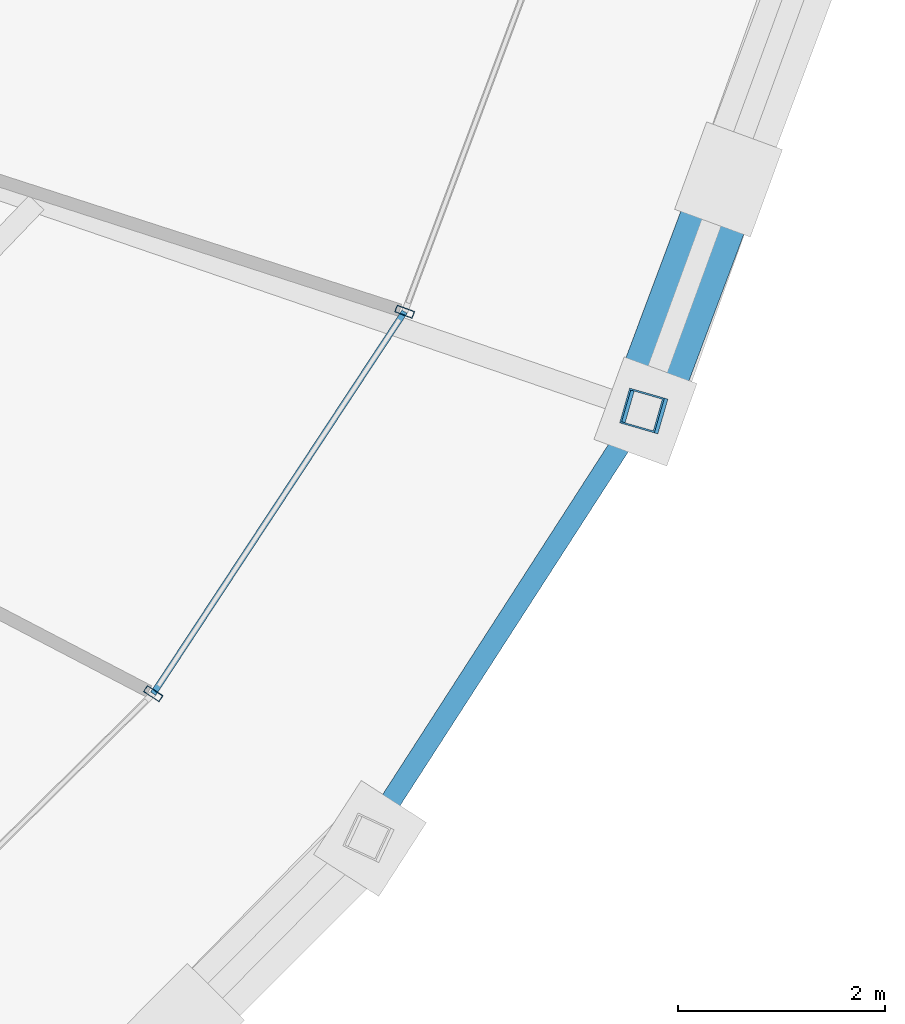
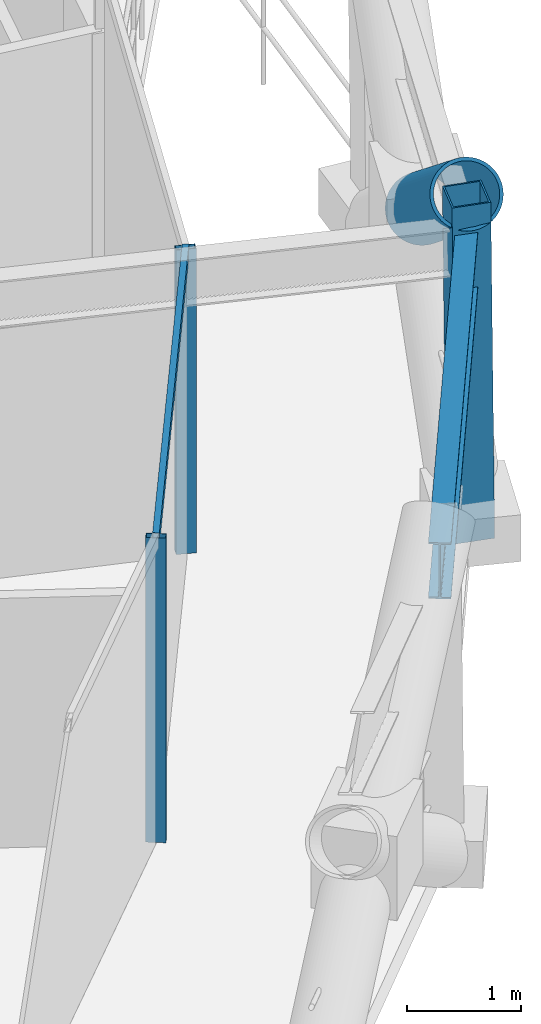
# One storey, part 10 of 23: 5 members, 1 beam, 1 element without a shape of its own.
"""IFC4 building model written with IfcOpenShell, lengths in metres."""

import ifcopenshell
import ifcopenshell.guid

model = None  # the IFC model being written
_history = None  # IfcOwnerHistory: only IFC2X3 demands one
_inside = {}  # id of a spatial element -> (the spatial element, [elements in it])
_under = {}  # id of a project, library or spatial element -> (it, [spatial elements below it])
_declared = {}  # id of a project -> (the project, [libraries it declares])
_typed = {}  # id of a type object -> (the type object, [elements of that type])
_made_of = {}  # id of a material, layer set ... -> (it, [elements and type objects made of it])


def new_model(schema):
    """Start an empty IFC model of exactly this schema.

    Asked for "IFC4X3", IfcOpenShell would pick the latest addendum, in which some entities
    have other attributes; the version numbers below select the first issue.
    IFC2X3 requires an IfcOwnerHistory on every rooted entity: one is made here for all.
    """
    global model, _history
    if schema == "IFC4X3":
        model = ifcopenshell.file(schema_version=(4, 3, 0, 0))
    else:
        model = ifcopenshell.file(schema=schema)
    _inside.clear()
    _under.clear()
    _declared.clear()
    _typed.clear()
    _made_of.clear()
    _history = None
    if model.schema == "IFC2X3":
        org = make("IfcOrganization", Name="unknown")
        user = make(
            "IfcPersonAndOrganization",
            ThePerson=make("IfcPerson", FamilyName="unknown"),
            TheOrganization=org,
        )
        app = make(
            "IfcApplication",
            ApplicationDeveloper=org,
            Version="unknown",
            ApplicationFullName="unknown",
            ApplicationIdentifier="unknown",
        )
        _history = make(
            "IfcOwnerHistory",
            OwningUser=user,
            OwningApplication=app,
            ChangeAction="ADDED",
            CreationDate=0,
        )
    return model


def make(cls, **values):
    """One entity of the class cls with the attributes given. An attribute that is None is left unset."""
    return model.create_entity(
        cls, **{name: value for name, value in values.items() if value is not None}
    )


def rooted(cls, **values):
    """An entity with a GlobalId (a new one), such as an element, a storey or a relation."""
    return make(cls, GlobalId=ifcopenshell.guid.new(), OwnerHistory=_history, **values)


def si_unit(unit_type, name, prefix=None):
    """IfcSIUnit, for example si_unit("LENGTHUNIT", "METRE", prefix="MILLI")."""
    return make("IfcSIUnit", UnitType=unit_type, Prefix=prefix, Name=name)


def assignment(units):
    """IfcUnitAssignment: the units of a project."""
    return None if units is None else make("IfcUnitAssignment", Units=units)


def point(xyz):
    """IfcCartesianPoint."""
    return None if xyz is None else make("IfcCartesianPoint", Coordinates=xyz)


def direction(xyz):
    """IfcDirection."""
    return None if xyz is None else make("IfcDirection", DirectionRatios=xyz)


def frame(location, z_axis=None, x_axis=None):
    """IfcAxis2Placement3D, a coordinate frame: its origin and axes. An axis left out is left unset."""
    return make(
        "IfcAxis2Placement3D",
        Location=point(location),
        Axis=direction(z_axis),
        RefDirection=direction(x_axis),
    )


def frame_2d(location, x_axis=None):
    """IfcAxis2Placement2D, a coordinate frame in the plane: its origin and x axis."""
    return make(
        "IfcAxis2Placement2D", Location=point(location), RefDirection=direction(x_axis)
    )


def origin():
    """The frame at (0, 0, 0) with its axes left unset."""
    return frame((0.0, 0.0, 0.0))


def origin_2d():
    """The frame at (0, 0) in the plane with its x axis left unset."""
    return frame_2d((0.0, 0.0))


def place(relative_to, where):
    """IfcLocalPlacement: puts the frame where relative to a parent placement (None: the world)."""
    return make(
        "IfcLocalPlacement", PlacementRelTo=relative_to, RelativePlacement=where
    )


def context(
    kind, dimensions, precision=None, world=None, true_north=None, identifier=None
):
    """IfcGeometricRepresentationContext, for example the 3D "Model" context."""
    return make(
        "IfcGeometricRepresentationContext",
        ContextIdentifier=identifier,
        ContextType=kind,
        CoordinateSpaceDimension=dimensions,
        Precision=precision,
        WorldCoordinateSystem=world,
        TrueNorth=true_north,
    )


def subcontext(parent, identifier, kind, view, scale=None):
    """IfcGeometricRepresentationSubContext, for example "Body" below "Model"."""
    return make(
        "IfcGeometricRepresentationSubContext",
        ContextIdentifier=identifier,
        ContextType=kind,
        ParentContext=parent,
        TargetScale=scale,
        TargetView=view,
    )


def project(units=None, contexts=None):
    """IfcProject with its units and contexts."""
    return rooted(
        "IfcProject",
        Name="project",
        RepresentationContexts=contexts,
        UnitsInContext=assignment(units),
    )


def spatial(cls, under=None, at=None, **own):
    """A site, building, storey or space (cls), placed at a placement, below another one or the project."""
    s = rooted(cls, ObjectPlacement=at, **own)
    if under is not None:
        _under.setdefault(under.id(), (under, []))[1].append(s)
    return s


def profile(cls, at=None, kind="AREA", **sizes):
    """A parametric profile (cls). Its sizes go by their IFC names, for example OverallWidth=200.0."""
    return make(cls, ProfileType=kind, Position=at, **sizes)


def hollow_rectangle(**sizes):
    """IfcRectangleHollowProfileDef."""
    return profile("IfcRectangleHollowProfileDef", **sizes)


def hollow_circle(**sizes):
    """IfcCircleHollowProfileDef."""
    return profile("IfcCircleHollowProfileDef", **sizes)


def i_section(**sizes):
    """IfcIShapeProfileDef."""
    return profile("IfcIShapeProfileDef", **sizes)


def extrude(swept, where, along, depth):
    """IfcExtrudedAreaSolid: the profile swept, set in the frame where, extruded along a direction by depth."""
    return make(
        "IfcExtrudedAreaSolid",
        SweptArea=swept,
        Position=where,
        ExtrudedDirection=direction(along),
        Depth=depth,
    )


def shape(context_of_items, identifier, shape_type, items):
    """IfcShapeRepresentation: the items that make up one representation, for example the "Body"."""
    return make(
        "IfcShapeRepresentation",
        ContextOfItems=context_of_items,
        RepresentationIdentifier=identifier,
        RepresentationType=shape_type,
        Items=items,
    )


def material(Name=None, Category=None):
    """IfcMaterial."""
    return make("IfcMaterial", Name=Name, Category=Category)


def layer(
    of_material, thickness, ventilated=None, Name=None, Category=None, Priority=None
):
    """IfcMaterialLayer: one layer of a wall or slab, of a material (None: an air gap)."""
    return make(
        "IfcMaterialLayer",
        Material=of_material,
        LayerThickness=thickness,
        IsVentilated=ventilated,
        Name=Name,
        Category=Category,
        Priority=Priority,
    )


def layer_set(layers, Name=None):
    """IfcMaterialLayerSet."""
    return make("IfcMaterialLayerSet", MaterialLayers=layers, LayerSetName=Name)


def material_profile(
    of_material, cross_section, Name=None, Category=None, Priority=None
):
    """IfcMaterialProfile: a cross section and its material."""
    return make(
        "IfcMaterialProfile",
        Name=Name,
        Material=of_material,
        Profile=cross_section,
        Priority=Priority,
        Category=Category,
    )


def profile_set(profiles, Name=None, composite=None):
    """IfcMaterialProfileSet."""
    return make(
        "IfcMaterialProfileSet",
        Name=Name,
        MaterialProfiles=profiles,
        CompositeProfile=composite,
    )


def made_of(thing, what):
    """Note that an element or type object is made of a material, layer set ...; save() writes the relation."""
    if what is not None:
        _made_of.setdefault(what.id(), (what, []))[1].append(thing)
    return thing


def type_object(cls, material=None, **own):
    """A type object (cls), such as IfcWallType, which elements share."""
    return made_of(rooted(cls, **own), material)


def element(
    cls,
    number,
    at=None,
    inside=None,
    cuts=None,
    type_object=None,
    material=None,
    context=None,
    identifier="Body",
    shape_type=None,
    held_by="IfcProductDefinitionShape",
    body=None,
    shapes=None,
    **own,
):
    """One element of the class cls, such as IfcWall. Its Tag is "e" and its number.

    at: its placement. inside: the storey or other place that contains it. cuts: it is an
    opening in that element (IfcRelVoidsElement). A single representation is given by context,
    identifier, shape_type and body (its items); several are given by shapes. held_by: the class
    of the entity that holds the representations. save() writes the other relations.
    """
    e = rooted(cls, Tag="e%d" % number, ObjectPlacement=at, **own)
    if body is not None:
        shapes = [shape(context, identifier, shape_type, body)]
    if shapes is not None:
        e.Representation = make(held_by, Representations=shapes)
    if inside is not None:
        _inside.setdefault(inside.id(), (inside, []))[1].append(e)
    if cuts is not None:
        rooted(
            "IfcRelVoidsElement", RelatingBuildingElement=cuts, RelatedOpeningElement=e
        )
    if type_object is not None:
        _typed.setdefault(type_object.id(), (type_object, []))[1].append(e)
    return made_of(e, material)


def aggregate(whole, parts):
    """IfcRelAggregates: a whole, such as a stair, and the parts it consists of."""
    return rooted("IfcRelAggregates", RelatingObject=whole, RelatedObjects=parts)


def save(model, path):
    """Write the relations noted so far, then the file.

    IfcRelAggregates (storeys below a building ...), IfcRelContainedInSpatialStructure (elements
    in a storey), IfcRelDefinesByType, IfcRelAssociatesMaterial and IfcRelDeclares: one each for
    every whole, place, type object, material and project.
    """
    for whole, parts in _under.values():
        aggregate(whole, parts)
    for where, things in _inside.values():
        rooted(
            "IfcRelContainedInSpatialStructure",
            RelatedElements=things,
            RelatingStructure=where,
        )
    for kind, things in _typed.values():
        rooted("IfcRelDefinesByType", RelatedObjects=things, RelatingType=kind)
    for what, things in _made_of.values():
        rooted("IfcRelAssociatesMaterial", RelatedObjects=things, RelatingMaterial=what)
    for by, libraries in _declared.values():
        rooted("IfcRelDeclares", RelatingContext=by, RelatedDefinitions=libraries)
    model.write(path)


model = new_model("IFC4")

# Units and contexts
model_context = context("Model", 3, precision=1e-05, world=origin(), true_north=direction((0.0, 1.0)))
body_context = subcontext(model_context, "Body", "Model", "MODEL_VIEW")
ifc_project = project(units=[si_unit("LENGTHUNIT", "METRE"), si_unit("AREAUNIT", "SQUARE_METRE"), si_unit("VOLUMEUNIT", "CUBIC_METRE"), si_unit("PLANEANGLEUNIT", "RADIAN"), si_unit("MASSUNIT", "GRAM", prefix="KILO")], contexts=[model_context])

# Site, building, storey
site_placement = place(None, origin())
site = spatial("IfcSite", under=ifc_project, at=site_placement, CompositionType="ELEMENT")
building_placement = place(site_placement, origin())
building = spatial("IfcBuilding", under=site, at=building_placement, Name="Veldorina Hangang Commons", CompositionType="ELEMENT")
storey_placement = place(building_placement, frame((0.0, 0.0, 102.39990234375)))
storey = spatial("IfcBuildingStorey", under=building, at=storey_placement, Name="L26", CompositionType="ELEMENT", Elevation=102.39990234375)

# Beam
ifc_material_1 = material(Name="Steel SM420-TMC", Category="steel")
ifc_material_profile_1 = material_profile(ifc_material_1, i_section(OverallWidth=0.199951171875, OverallDepth=0.60009765625, WebThickness=0.010986328125, FlangeThickness=0.01708984375, FilletRadius=0.01806640625, at=origin_2d()), Name="H-600x200x11x17")
ifc_profile_set_1 = profile_set([ifc_material_profile_1], Name="Steel SM420-TMC")
beam_type = type_object("IfcBeamType", Name="BM-RB600", PredefinedType="BEAM", material=ifc_profile_set_1)
beam_placement = place(storey_placement, frame((55.937255859375, 10.748291015625, 3.0), z_axis=(0.542077009113, 0.840328814329, 0.0), x_axis=(-0.840328814329, 0.542077009113, 0.0)))
element("IfcBeam", 1, at=beam_placement, inside=storey, type_object=beam_type, Name="L26 perimeter hoop ring beam 29", PredefinedType="BEAM", context=body_context, shape_type="SweptSolid", body=[
    extrude(i_section(OverallWidth=0.199951171875, OverallDepth=0.60009765625, WebThickness=0.010986328125, FlangeThickness=0.01708984375, FilletRadius=0.01806640625, at=origin_2d()), origin(), (0.0, 0.0, 1.0), 4.9072265625),
])

# Curtain wall, members
ifc_material_2 = material(Name="Glass Low-E Triple IGU", Category="glass")
ifc_layer = layer(ifc_material_2, 0.179931640625)
ifc_layer_set = layer_set([ifc_layer], Name="Glass Low-E Triple IGU")
curtain_wall_type = type_object("IfcCurtainWallType", Name="CW-SYS-Z1", PredefinedType="NOTDEFINED", material=ifc_layer_set)
curtain_wall_placement = place(storey_placement, origin())
curtain_wall = element("IfcCurtainWall", 2, at=curtain_wall_placement, inside=storey, type_object=curtain_wall_type, Name="L26 unitised curtain wall CW-L26-R2", PredefinedType="NOTDEFINED")
ifc_material_3 = material(Name="Aluminium Anodized AA6063-T6", Category="aluminium")
ifc_material_profile_2 = material_profile(ifc_material_3, hollow_rectangle(XDim=0.070068359375, YDim=0.179931640625, WallThickness=0.00390625, at=origin_2d()), Name="ALU-RHS-180x70x4")
ifc_profile_set_2 = profile_set([ifc_material_profile_2], Name="Aluminium Anodized AA6063-T6")
member_type_1 = type_object("IfcMemberType", Name="CW-MUL-180", PredefinedType="MULLION", material=ifc_profile_set_2)
member_1_placement = place(storey_placement, frame((53.8671875, 12.136474609375, 0.0), z_axis=(0.0, 0.0, 1.0), x_axis=(0.549868616794, 0.835251162385, 0.0)))
member_1 = element("IfcMember", 3, at=member_1_placement, type_object=member_type_1, Name="CW-L26-R2 vertical mullion 3", PredefinedType="MULLION", context=body_context, shape_type="SweptSolid", body=[
    extrude(hollow_rectangle(XDim=0.070068359375, YDim=0.179931640625, WallThickness=0.00390625, at=origin_2d()), origin(), (0.0, 0.0, 1.0), 3.260009765625),
])
member_2_placement = place(storey_placement, frame((56.297607421875, 15.828369140625, 0.0), z_axis=(0.0, 0.0, 1.0), x_axis=(0.349978498615, 0.936757733092, 0.0)))
member_2 = element("IfcMember", 4, at=member_2_placement, type_object=member_type_1, Name="CW-L26-R2 vertical mullion 4", PredefinedType="MULLION", context=body_context, shape_type="SweptSolid", body=[
    extrude(hollow_rectangle(XDim=0.070068359375, YDim=0.179931640625, WallThickness=0.00390625, at=origin_2d()), origin(), (0.0, 0.0, 1.0), 3.260009765625),
])
ifc_material_profile_3 = material_profile(ifc_material_3, hollow_rectangle(XDim=0.06005859375, YDim=0.139892578125, WallThickness=0.00341796875, at=origin_2d()), Name="ALU-RHS-140x60x3.5")
ifc_profile_set_3 = profile_set([ifc_material_profile_3], Name="Aluminium Anodized AA6063-T6")
member_type_2 = type_object("IfcMemberType", Name="CW-TRN-140", PredefinedType="USERDEFINED", material=ifc_profile_set_3)
member_3_placement = place(storey_placement, frame((53.8671875, 12.136474609375, 3.22021484375), z_axis=(0.549859947975, 0.83525686924, 0.0), x_axis=(-0.83525686924, 0.549859947975, 0.0)))
member_3 = element("IfcMember", 5, at=member_3_placement, type_object=member_type_2, Name="CW-L26-R2 facet 4 transom 1", ObjectType="TRANSOM", PredefinedType="USERDEFINED", context=body_context, shape_type="SweptSolid", body=[
    extrude(hollow_rectangle(XDim=0.06005859375, YDim=0.139892578125, WallThickness=0.00341796875, at=origin_2d()), origin(), (0.0, 0.0, 1.0), 4.420166015625),
])
aggregate(curtain_wall, [member_1, member_2, member_3])

# Members
ifc_material_4 = material(Name="Steel SM460-TMC", Category="steel")
ifc_material_profile_4 = material_profile(ifc_material_4, hollow_circle(Radius=0.324951171875, WallThickness=0.031982421875, at=origin_2d()), Name="CHS-650x32")
ifc_profile_set_4 = profile_set([ifc_material_profile_4], Name="Steel SM460-TMC")
member_type_3 = type_object("IfcMemberType", Name="DG-CHS650", PredefinedType="BRACE", material=ifc_profile_set_4)
member_4_placement = place(storey_placement, frame((59.42822265625, 17.10693359375, 1.801025390625), z_axis=(-0.280005104125, -0.747579301643, 0.602264335171), x_axis=(0.936467948192, -0.350753163934, 0.0)))
element("IfcMember", 6, at=member_4_placement, inside=storey, type_object=member_type_3, Name="L26 split perimeter diagrid upper brace 31", PredefinedType="BRACE", context=body_context, shape_type="SweptSolid", body=[
    extrude(hollow_circle(Radius=0.324951171875, WallThickness=0.031982421875, at=origin_2d()), origin(), (0.0, 0.0, 1.0), 2.987060546875),
])
ifc_material_5 = material(Name="Steel SM355-TMC", Category="steel")
ifc_material_profile_5 = material_profile(ifc_material_5, hollow_rectangle(XDim=0.35009765625, YDim=0.35009765625, WallThickness=0.01611328125, at=origin_2d()), Name="SHS-350x350x16")
ifc_profile_set_5 = profile_set([ifc_material_profile_5], Name="Steel SM355-TMC")
member_type_4 = type_object("IfcMemberType", Name="STR-SHS350", PredefinedType="STRUT", material=ifc_profile_set_5)
member_5_placement = place(storey_placement, frame((58.625732421875, 14.864013671875, 0.0), z_axis=(-0.009425831661, 0.002712469543, 0.999951896946), x_axis=(-0.276546885391, -0.961000426733, 0.0)))
element("IfcMember", 7, at=member_5_placement, inside=storey, type_object=member_type_4, Name="L26 perimeter ring node post 30", PredefinedType="STRUT", context=body_context, shape_type="SweptSolid", body=[
    extrude(hollow_rectangle(XDim=0.35009765625, YDim=0.35009765625, WallThickness=0.01611328125, at=origin_2d()), origin(), (0.0, 0.0, 1.0), 3.600341796875),
])

save(model, "model.ifc")
